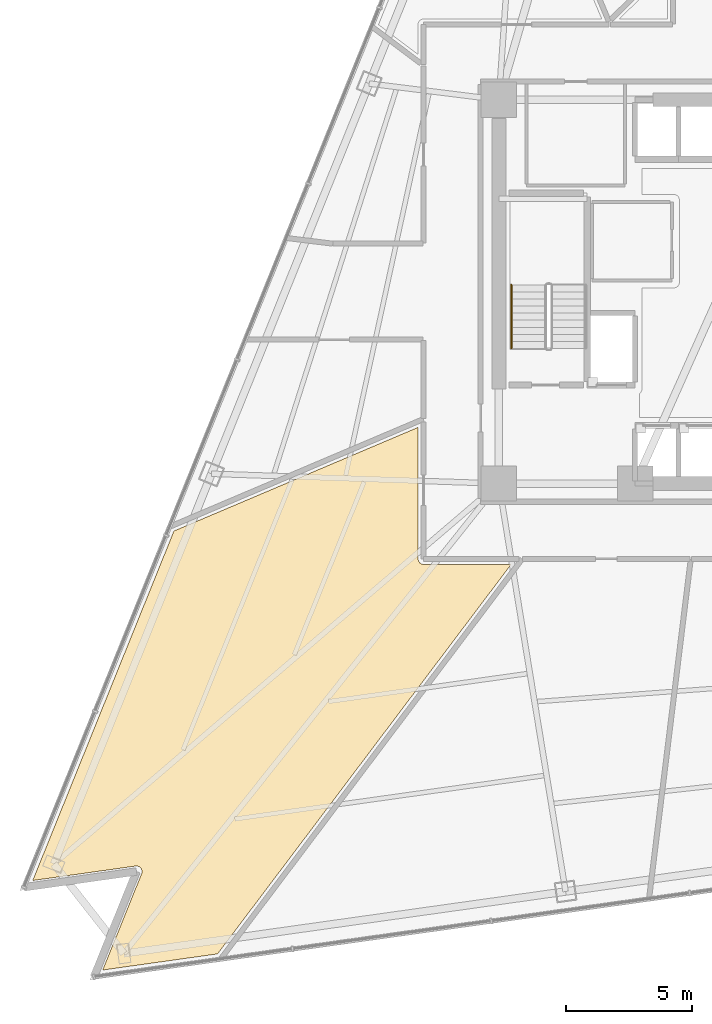
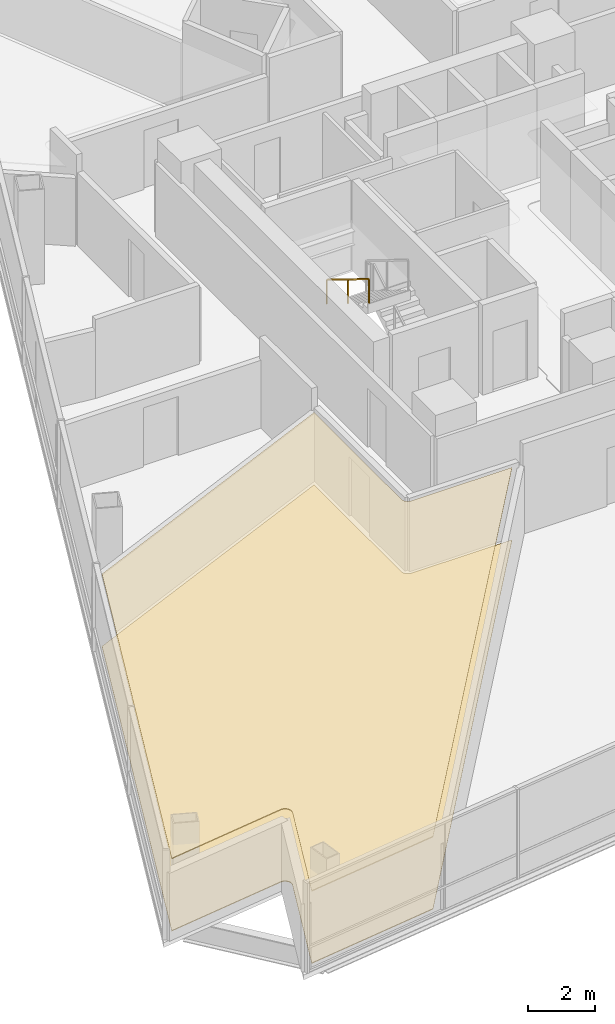
# One storey, part 11 of 15: 2 coverings, 1 railing.
"""IFC4 building model written with IfcOpenShell, lengths in metres."""

from ifc_helpers import new_model, si_unit, direction, frame, origin, origin_2d, place, context, subcontext, project, spatial, polyline, rectangle, outline, extrude, material, layer, layer_set, type_object, element, save


model = new_model("IFC4")

# Units and contexts
model_context = context("Model", 3, precision=1e-05, world=origin(), true_north=direction((0.0, 1.0)))
body_context = subcontext(model_context, "Body", "Model", "MODEL_VIEW")
ifc_project = project(units=[si_unit("LENGTHUNIT", "METRE"), si_unit("AREAUNIT", "SQUARE_METRE"), si_unit("VOLUMEUNIT", "CUBIC_METRE"), si_unit("PLANEANGLEUNIT", "RADIAN"), si_unit("MASSUNIT", "GRAM", prefix="KILO")], contexts=[model_context])

# Site, building, storey
site_placement = place(None, origin())
site = spatial("IfcSite", under=ifc_project, at=site_placement, CompositionType="ELEMENT")
building_placement = place(site_placement, origin())
building = spatial("IfcBuilding", under=site, at=building_placement, Name="Tharavind Bronze Gate", CompositionType="ELEMENT")
storey_placement = place(building_placement, frame((0.0, 0.0, 74.199951171875)))
storey = spatial("IfcBuildingStorey", under=building, at=storey_placement, Name="L18", CompositionType="ELEMENT", Elevation=74.199951171875)

# Coverings
ifc_material_1 = material(Name="Perforated Bronze Acoustic Panel", Category="bronze")
ifc_layer_1 = layer(ifc_material_1, 0.044921875)
ifc_layer_set_1 = layer_set([ifc_layer_1], Name="Perforated Bronze Acoustic Panel")
covering_type_1 = type_object("IfcCoveringType", Name="ACOUSTIC BRONZE BAFFLE CEILING", PredefinedType="CEILING", material=ifc_layer_set_1)
covering_1_placement = place(storey_placement, frame((0.0, 0.0, 2.625)))
element("IfcCovering", 1, at=covering_1_placement, inside=storey, type_object=covering_type_1, Name="L18-RM-06 suspended ceiling", PredefinedType="CEILING", context=body_context, shape_type="SweptSolid", body=[
    extrude(outline(polyline([(-23.281982421875, -22.747802734375), (-23.271240234375, -22.74658203125), (-23.270751953125, -22.74658203125), (-23.248779296875, -22.74560546875), (-23.226806640625, -22.7470703125), (-23.205078125, -22.75048828125), (-23.18408203125, -22.756103515625), (-23.16357421875, -22.763916015625), (-23.143798828125, -22.7734375), (-23.125244140625, -22.78515625), (-23.10791015625, -22.798583984375), (-23.091796875, -22.813720703125), (-23.07763671875, -22.830078125), (-23.06494140625, -22.84814453125), (-23.05419921875, -22.8671875), (-23.04541015625, -22.88720703125), (-23.03857421875, -22.908203125), (-23.033935546875, -22.9296875), (-23.031494140625, -22.951416015625), (-23.031005859375, -22.973388671875), (-23.032958984375, -22.9951171875), (-23.037109375, -23.0166015625), (-23.043212890625, -23.037841796875), (-23.043212890625, -23.038330078125), (-23.047119140625, -23.048583984375), (-24.58984375, -26.866943359375), (-20.039306640625, -26.2275390625), (-8.413818359375, -10.800048828125), (-11.87939453125, -10.800048828125), (-11.89013671875, -10.7998046875), (-11.890869140625, -10.7998046875), (-11.912353515625, -10.797607421875), (-11.933349609375, -10.79345703125), (-11.9541015625, -10.787109375), (-11.97412109375, -10.77880859375), (-11.9931640625, -10.768798828125), (-12.010986328125, -10.756591796875), (-12.027587890625, -10.742919921875), (-12.04296875, -10.727783203125), (-12.056640625, -10.7109375), (-12.068603515625, -10.693115234375), (-12.078857421875, -10.674072265625), (-12.087158203125, -10.654052734375), (-12.093505859375, -10.63330078125), (-12.09765625, -10.6123046875), (-12.099609375, -10.5908203125), (-12.099609375, -10.590087890625), (-12.10009765625, -10.579345703125), (-12.10009765625, -5.375), (-21.767822265625, -9.47900390625), (-27.3603515625, -23.321044921875), (-23.281982421875, -22.747802734375)])), origin(), (0.0, 0.0, 1.0), 0.03515625),
])
ifc_material_2 = material(Name="Honed Travertine Limestone", Category="masonry")
ifc_layer_2 = layer(ifc_material_2, 0.030029296875)
ifc_layer_set_2 = layer_set([ifc_layer_2], Name="Honed Travertine Limestone")
covering_type_2 = type_object("IfcCoveringType", Name="HONED LIMESTONE FLOORING", PredefinedType="FLOORING", material=ifc_layer_set_2)
covering_2_placement = place(storey_placement, origin())
element("IfcCovering", 2, at=covering_2_placement, inside=storey, type_object=covering_type_2, Name="L18-RM-06 floor finish", PredefinedType="FLOORING", context=body_context, shape_type="SweptSolid", body=[
    extrude(outline(polyline([(-23.281982421875, -22.747802734375), (-23.271240234375, -22.74658203125), (-23.270751953125, -22.74658203125), (-23.248779296875, -22.74560546875), (-23.226806640625, -22.7470703125), (-23.205078125, -22.75048828125), (-23.18408203125, -22.756103515625), (-23.16357421875, -22.763916015625), (-23.143798828125, -22.7734375), (-23.125244140625, -22.78515625), (-23.10791015625, -22.798583984375), (-23.091796875, -22.813720703125), (-23.07763671875, -22.830078125), (-23.06494140625, -22.84814453125), (-23.05419921875, -22.8671875), (-23.04541015625, -22.88720703125), (-23.03857421875, -22.908203125), (-23.033935546875, -22.9296875), (-23.031494140625, -22.951416015625), (-23.031005859375, -22.973388671875), (-23.032958984375, -22.9951171875), (-23.037109375, -23.0166015625), (-23.043212890625, -23.037841796875), (-23.043212890625, -23.038330078125), (-23.047119140625, -23.048583984375), (-24.58984375, -26.866943359375), (-20.039306640625, -26.2275390625), (-8.413818359375, -10.800048828125), (-11.87939453125, -10.800048828125), (-11.89013671875, -10.7998046875), (-11.890869140625, -10.7998046875), (-11.912353515625, -10.797607421875), (-11.933349609375, -10.79345703125), (-11.9541015625, -10.787109375), (-11.97412109375, -10.77880859375), (-11.9931640625, -10.768798828125), (-12.010986328125, -10.756591796875), (-12.027587890625, -10.742919921875), (-12.04296875, -10.727783203125), (-12.056640625, -10.7109375), (-12.068603515625, -10.693115234375), (-12.078857421875, -10.674072265625), (-12.087158203125, -10.654052734375), (-12.093505859375, -10.63330078125), (-12.09765625, -10.6123046875), (-12.099609375, -10.5908203125), (-12.099609375, -10.590087890625), (-12.10009765625, -10.579345703125), (-12.10009765625, -5.375), (-21.767822265625, -9.47900390625), (-27.3603515625, -23.321044921875), (-23.281982421875, -22.747802734375)])), origin(), (0.0, 0.0, 1.0), 0.025146484375),
])

# Railing
ifc_material_3 = material(Name="Brushed Bronze Alloy", Category="metal")
railing_type = type_object("IfcRailingType", Name="STAIR BRONZE HANDRAIL 900", PredefinedType="HANDRAIL", material=ifc_material_3)
railing_placement = place(storey_placement, frame((-8.39990234375, 0.27001953125, 1.8974609375)))
element("IfcRailing", 3, at=railing_placement, inside=storey, type_object=railing_type, Name="L18 ST1 stair handrail 2", PredefinedType="HANDRAIL", context=body_context, shape_type="SweptSolid", body=[
    extrude(rectangle(XDim=0.048095703125, YDim=0.048095703125, at=origin_2d()), frame((0.0, -0.02734375, 0.892578125), z_axis=(0.0, -0.851400495292, 0.524516154772), x_axis=(1.0, 0.0, 0.0)), (0.0, 0.0, 1.0), 2.895751953125),
    extrude(rectangle(XDim=0.0400390625, YDim=0.0400390625, at=origin_2d()), origin(), (0.0, 0.0, 1.0), 0.847900390625),
    extrude(rectangle(XDim=0.0400390625, YDim=0.0400390625, at=origin_2d()), frame((0.0, -1.260009765625, 0.7763671875)), (0.0, 0.0, 1.0), 0.847900390625),
    extrude(rectangle(XDim=0.0400390625, YDim=0.0400390625, at=origin_2d()), frame((0.0, -2.52001953125, 1.552490234375)), (0.0, 0.0, 1.0), 0.847900390625),
])

save(model, "model.ifc")
